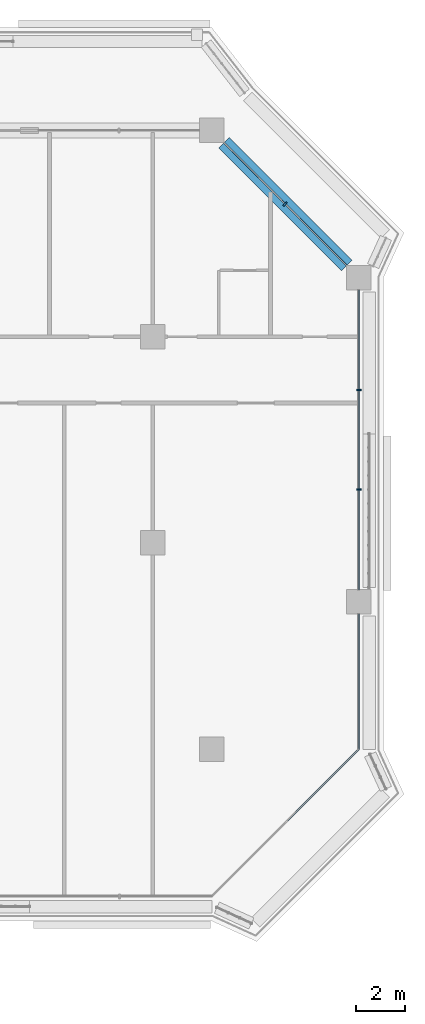
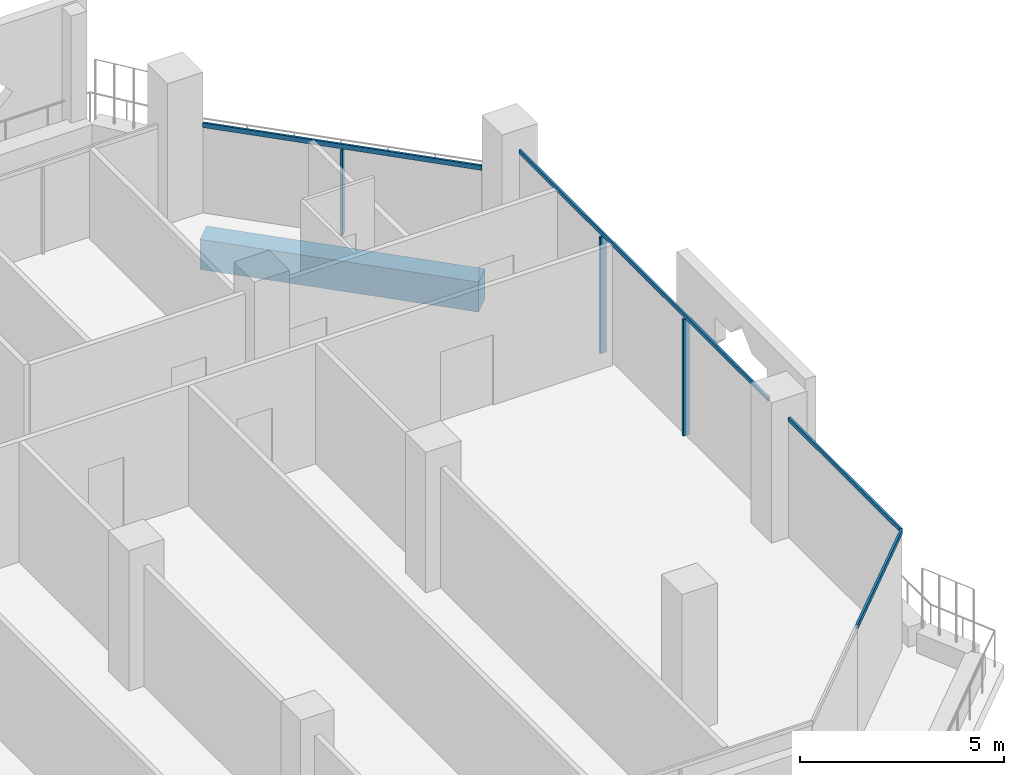
# One storey, part 7 of 22: 7 members, 1 beam, 3 elements without a shape of their own.
"""IFC4 building model written with IfcOpenShell, lengths in metres."""

import ifcopenshell
import ifcopenshell.guid

model = None  # the IFC model being written
_history = None  # IfcOwnerHistory: only IFC2X3 demands one
_inside = {}  # id of a spatial element -> (the spatial element, [elements in it])
_under = {}  # id of a project, library or spatial element -> (it, [spatial elements below it])
_declared = {}  # id of a project -> (the project, [libraries it declares])
_typed = {}  # id of a type object -> (the type object, [elements of that type])
_made_of = {}  # id of a material, layer set ... -> (it, [elements and type objects made of it])


def new_model(schema):
    """Start an empty IFC model of exactly this schema.

    Asked for "IFC4X3", IfcOpenShell would pick the latest addendum, in which some entities
    have other attributes; the version numbers below select the first issue.
    IFC2X3 requires an IfcOwnerHistory on every rooted entity: one is made here for all.
    """
    global model, _history
    if schema == "IFC4X3":
        model = ifcopenshell.file(schema_version=(4, 3, 0, 0))
    else:
        model = ifcopenshell.file(schema=schema)
    _inside.clear()
    _under.clear()
    _declared.clear()
    _typed.clear()
    _made_of.clear()
    _history = None
    if model.schema == "IFC2X3":
        org = make("IfcOrganization", Name="unknown")
        user = make(
            "IfcPersonAndOrganization",
            ThePerson=make("IfcPerson", FamilyName="unknown"),
            TheOrganization=org,
        )
        app = make(
            "IfcApplication",
            ApplicationDeveloper=org,
            Version="unknown",
            ApplicationFullName="unknown",
            ApplicationIdentifier="unknown",
        )
        _history = make(
            "IfcOwnerHistory",
            OwningUser=user,
            OwningApplication=app,
            ChangeAction="ADDED",
            CreationDate=0,
        )
    return model


def make(cls, **values):
    """One entity of the class cls with the attributes given. An attribute that is None is left unset."""
    return model.create_entity(
        cls, **{name: value for name, value in values.items() if value is not None}
    )


def rooted(cls, **values):
    """An entity with a GlobalId (a new one), such as an element, a storey or a relation."""
    return make(cls, GlobalId=ifcopenshell.guid.new(), OwnerHistory=_history, **values)


def si_unit(unit_type, name, prefix=None):
    """IfcSIUnit, for example si_unit("LENGTHUNIT", "METRE", prefix="MILLI")."""
    return make("IfcSIUnit", UnitType=unit_type, Prefix=prefix, Name=name)


def assignment(units):
    """IfcUnitAssignment: the units of a project."""
    return None if units is None else make("IfcUnitAssignment", Units=units)


def point(xyz):
    """IfcCartesianPoint."""
    return None if xyz is None else make("IfcCartesianPoint", Coordinates=xyz)


def direction(xyz):
    """IfcDirection."""
    return None if xyz is None else make("IfcDirection", DirectionRatios=xyz)


def frame(location, z_axis=None, x_axis=None):
    """IfcAxis2Placement3D, a coordinate frame: its origin and axes. An axis left out is left unset."""
    return make(
        "IfcAxis2Placement3D",
        Location=point(location),
        Axis=direction(z_axis),
        RefDirection=direction(x_axis),
    )


def frame_2d(location, x_axis=None):
    """IfcAxis2Placement2D, a coordinate frame in the plane: its origin and x axis."""
    return make(
        "IfcAxis2Placement2D", Location=point(location), RefDirection=direction(x_axis)
    )


def origin():
    """The frame at (0, 0, 0) with its axes left unset."""
    return frame((0.0, 0.0, 0.0))


def origin_2d():
    """The frame at (0, 0) in the plane with its x axis left unset."""
    return frame_2d((0.0, 0.0))


def place(relative_to, where):
    """IfcLocalPlacement: puts the frame where relative to a parent placement (None: the world)."""
    return make(
        "IfcLocalPlacement", PlacementRelTo=relative_to, RelativePlacement=where
    )


def context(
    kind, dimensions, precision=None, world=None, true_north=None, identifier=None
):
    """IfcGeometricRepresentationContext, for example the 3D "Model" context."""
    return make(
        "IfcGeometricRepresentationContext",
        ContextIdentifier=identifier,
        ContextType=kind,
        CoordinateSpaceDimension=dimensions,
        Precision=precision,
        WorldCoordinateSystem=world,
        TrueNorth=true_north,
    )


def subcontext(parent, identifier, kind, view, scale=None):
    """IfcGeometricRepresentationSubContext, for example "Body" below "Model"."""
    return make(
        "IfcGeometricRepresentationSubContext",
        ContextIdentifier=identifier,
        ContextType=kind,
        ParentContext=parent,
        TargetScale=scale,
        TargetView=view,
    )


def project(units=None, contexts=None):
    """IfcProject with its units and contexts."""
    return rooted(
        "IfcProject",
        Name="project",
        RepresentationContexts=contexts,
        UnitsInContext=assignment(units),
    )


def spatial(cls, under=None, at=None, **own):
    """A site, building, storey or space (cls), placed at a placement, below another one or the project."""
    s = rooted(cls, ObjectPlacement=at, **own)
    if under is not None:
        _under.setdefault(under.id(), (under, []))[1].append(s)
    return s


def profile(cls, at=None, kind="AREA", **sizes):
    """A parametric profile (cls). Its sizes go by their IFC names, for example OverallWidth=200.0."""
    return make(cls, ProfileType=kind, Position=at, **sizes)


def rectangle(**sizes):
    """IfcRectangleProfileDef."""
    return profile("IfcRectangleProfileDef", **sizes)


def extrude(swept, where, along, depth):
    """IfcExtrudedAreaSolid: the profile swept, set in the frame where, extruded along a direction by depth."""
    return make(
        "IfcExtrudedAreaSolid",
        SweptArea=swept,
        Position=where,
        ExtrudedDirection=direction(along),
        Depth=depth,
    )


def shape(context_of_items, identifier, shape_type, items):
    """IfcShapeRepresentation: the items that make up one representation, for example the "Body"."""
    return make(
        "IfcShapeRepresentation",
        ContextOfItems=context_of_items,
        RepresentationIdentifier=identifier,
        RepresentationType=shape_type,
        Items=items,
    )


def material(Name=None, Category=None):
    """IfcMaterial."""
    return make("IfcMaterial", Name=Name, Category=Category)


def layer(
    of_material, thickness, ventilated=None, Name=None, Category=None, Priority=None
):
    """IfcMaterialLayer: one layer of a wall or slab, of a material (None: an air gap)."""
    return make(
        "IfcMaterialLayer",
        Material=of_material,
        LayerThickness=thickness,
        IsVentilated=ventilated,
        Name=Name,
        Category=Category,
        Priority=Priority,
    )


def layer_set(layers, Name=None):
    """IfcMaterialLayerSet."""
    return make("IfcMaterialLayerSet", MaterialLayers=layers, LayerSetName=Name)


def material_profile(
    of_material, cross_section, Name=None, Category=None, Priority=None
):
    """IfcMaterialProfile: a cross section and its material."""
    return make(
        "IfcMaterialProfile",
        Name=Name,
        Material=of_material,
        Profile=cross_section,
        Priority=Priority,
        Category=Category,
    )


def profile_set(profiles, Name=None, composite=None):
    """IfcMaterialProfileSet."""
    return make(
        "IfcMaterialProfileSet",
        Name=Name,
        MaterialProfiles=profiles,
        CompositeProfile=composite,
    )


def made_of(thing, what):
    """Note that an element or type object is made of a material, layer set ...; save() writes the relation."""
    if what is not None:
        _made_of.setdefault(what.id(), (what, []))[1].append(thing)
    return thing


def type_object(cls, material=None, **own):
    """A type object (cls), such as IfcWallType, which elements share."""
    return made_of(rooted(cls, **own), material)


def element(
    cls,
    number,
    at=None,
    inside=None,
    cuts=None,
    type_object=None,
    material=None,
    context=None,
    identifier="Body",
    shape_type=None,
    held_by="IfcProductDefinitionShape",
    body=None,
    shapes=None,
    **own,
):
    """One element of the class cls, such as IfcWall. Its Tag is "e" and its number.

    at: its placement. inside: the storey or other place that contains it. cuts: it is an
    opening in that element (IfcRelVoidsElement). A single representation is given by context,
    identifier, shape_type and body (its items); several are given by shapes. held_by: the class
    of the entity that holds the representations. save() writes the other relations.
    """
    e = rooted(cls, Tag="e%d" % number, ObjectPlacement=at, **own)
    if body is not None:
        shapes = [shape(context, identifier, shape_type, body)]
    if shapes is not None:
        e.Representation = make(held_by, Representations=shapes)
    if inside is not None:
        _inside.setdefault(inside.id(), (inside, []))[1].append(e)
    if cuts is not None:
        rooted(
            "IfcRelVoidsElement", RelatingBuildingElement=cuts, RelatedOpeningElement=e
        )
    if type_object is not None:
        _typed.setdefault(type_object.id(), (type_object, []))[1].append(e)
    return made_of(e, material)


def aggregate(whole, parts):
    """IfcRelAggregates: a whole, such as a stair, and the parts it consists of."""
    return rooted("IfcRelAggregates", RelatingObject=whole, RelatedObjects=parts)


def save(model, path):
    """Write the relations noted so far, then the file.

    IfcRelAggregates (storeys below a building ...), IfcRelContainedInSpatialStructure (elements
    in a storey), IfcRelDefinesByType, IfcRelAssociatesMaterial and IfcRelDeclares: one each for
    every whole, place, type object, material and project.
    """
    for whole, parts in _under.values():
        aggregate(whole, parts)
    for where, things in _inside.values():
        rooted(
            "IfcRelContainedInSpatialStructure",
            RelatedElements=things,
            RelatingStructure=where,
        )
    for kind, things in _typed.values():
        rooted("IfcRelDefinesByType", RelatedObjects=things, RelatingType=kind)
    for what, things in _made_of.values():
        rooted("IfcRelAssociatesMaterial", RelatedObjects=things, RelatingMaterial=what)
    for by, libraries in _declared.values():
        rooted("IfcRelDeclares", RelatingContext=by, RelatedDefinitions=libraries)
    model.write(path)


model = new_model("IFC4")

# Units and contexts
model_context = context("Model", 3, precision=1e-05, world=origin(), true_north=direction((0.0, 1.0)))
body_context = subcontext(model_context, "Body", "Model", "MODEL_VIEW")
ifc_project = project(units=[si_unit("LENGTHUNIT", "METRE"), si_unit("AREAUNIT", "SQUARE_METRE"), si_unit("VOLUMEUNIT", "CUBIC_METRE"), si_unit("PLANEANGLEUNIT", "RADIAN"), si_unit("MASSUNIT", "GRAM", prefix="KILO")], contexts=[model_context])

# Site, building, storey
site_placement = place(None, origin())
site = spatial("IfcSite", under=ifc_project, at=site_placement, CompositionType="ELEMENT")
building_placement = place(site_placement, origin())
building = spatial("IfcBuilding", under=site, at=building_placement, Name="Kawkab Arch Medical Tower", CompositionType="ELEMENT")
storey_placement = place(building_placement, frame((0.0, 0.0, 179.39990234375)))
storey = spatial("IfcBuildingStorey", under=building, at=storey_placement, Name="L41", CompositionType="ELEMENT", Elevation=179.39990234375)

# Curtain wall, members
ifc_material_1 = material(Name="Bronze anodised aluminium curtain wall frame", Category="aluminium")
ifc_layer_1 = layer(ifc_material_1, 0.159912109375)
ifc_layer_set_1 = layer_set([ifc_layer_1], Name="Bronze anodised aluminium curtain wall frame")
curtain_wall_type_1 = type_object("IfcCurtainWallType", Name="CW1 ward curtain wall", PredefinedType="NOTDEFINED", material=ifc_layer_set_1)
placement = place(storey_placement, origin())
curtain_wall_1 = element("IfcCurtainWall", 1, at=placement, inside=storey, type_object=curtain_wall_type_1, Name="CW1 Ward curtain wall R09", PredefinedType="NOTDEFINED")
ifc_material_2 = material(Name="Bronze anodised aluminium curtain wall frame", Category="aluminium")
ifc_material_profile_1 = material_profile(ifc_material_2, rectangle(XDim=0.179931640625, YDim=0.06005859375, at=origin_2d()), Name="AL 60x180")
ifc_profile_set_1 = profile_set([ifc_material_profile_1], Name="Bronze anodised aluminium curtain wall frame")
member_type_1 = type_object("IfcMemberType", Name="CW1 mullion 60 x 180", PredefinedType="MULLION", material=ifc_profile_set_1)
member_1_placement = place(storey_placement, frame((67.199951171875, -14.63330078125, 0.0), z_axis=(0.0, 0.0, 1.0), x_axis=(-1.0, 0.0, 0.0)))
member_1 = element("IfcMember", 2, at=member_1_placement, type_object=member_type_1, Name="CW1 mullion 2.1", PredefinedType="MULLION", context=body_context, shape_type="SweptSolid", body=[
    extrude(rectangle(XDim=0.179931640625, YDim=0.06005859375, at=origin_2d()), origin(), (0.0, 0.0, 1.0), 3.47998046875),
])
member_2_placement = place(storey_placement, frame((67.199951171875, -10.566650390625, 0.0), z_axis=(0.0, 0.0, 1.0), x_axis=(-1.0, 0.0, 0.0)))
member_2 = element("IfcMember", 3, at=member_2_placement, type_object=member_type_1, Name="CW1 mullion 2.2", PredefinedType="MULLION", context=body_context, shape_type="SweptSolid", body=[
    extrude(rectangle(XDim=0.179931640625, YDim=0.06005859375, at=origin_2d()), origin(), (0.0, 0.0, 1.0), 3.47998046875),
])
ifc_material_3 = material(Name="Bronze anodised aluminium curtain wall frame", Category="aluminium")
ifc_material_profile_2 = material_profile(ifc_material_3, rectangle(XDim=0.06005859375, YDim=0.1201171875, at=origin_2d()), Name="AL 60x120")
ifc_profile_set_2 = profile_set([ifc_material_profile_2], Name="Bronze anodised aluminium curtain wall frame")
member_type_2 = type_object("IfcMemberType", Name="CW1 transom 120 x 60", PredefinedType="USERDEFINED", material=ifc_profile_set_2)
member_3_placement = place(storey_placement, frame((67.199951171875, -25.199951171875, 3.5400390625), z_axis=(0.0, 1.0, 0.0), x_axis=(-1.0, 0.0, 0.0)))
member_3 = element("IfcMember", 4, at=member_3_placement, type_object=member_type_2, Name="CW1 transom 1", ObjectType="TRANSOM", PredefinedType="USERDEFINED", context=body_context, shape_type="SweptSolid", body=[
    extrude(rectangle(XDim=0.06005859375, YDim=0.1201171875, at=origin_2d()), origin(), (0.0, 0.0, 1.0), 5.5),
])
member_4_placement = place(storey_placement, frame((67.199951171875, -18.699951171875, 3.5400390625), z_axis=(0.0, 1.0, 0.0), x_axis=(-1.0, 0.0, 0.0)))
member_4 = element("IfcMember", 5, at=member_4_placement, type_object=member_type_2, Name="CW1 transom 2", ObjectType="TRANSOM", PredefinedType="USERDEFINED", context=body_context, shape_type="SweptSolid", body=[
    extrude(rectangle(XDim=0.06005859375, YDim=0.1201171875, at=origin_2d()), origin(), (0.0, 0.0, 1.0), 12.199951171875),
])
aggregate(curtain_wall_1, [member_3, member_4, member_1, member_2])

# Curtain wall, member
ifc_material_4 = material(Name="Bronze anodised aluminium curtain wall frame", Category="aluminium")
ifc_layer_2 = layer(ifc_material_4, 0.159912109375)
ifc_layer_set_2 = layer_set([ifc_layer_2], Name="Bronze anodised aluminium curtain wall frame")
curtain_wall_type_2 = type_object("IfcCurtainWallType", Name="CW2 chamfer curtain wall", PredefinedType="NOTDEFINED", material=ifc_layer_set_2)
curtain_wall_2 = element("IfcCurtainWall", 6, at=placement, inside=storey, type_object=curtain_wall_type_2, Name="CW2 Chamfer curtain wall R10", PredefinedType="NOTDEFINED")
ifc_material_5 = material(Name="Bronze anodised aluminium curtain wall frame", Category="aluminium")
ifc_material_profile_3 = material_profile(ifc_material_5, rectangle(XDim=0.199951171875, YDim=0.06005859375, at=origin_2d()), Name="AL 60x200")
ifc_profile_set_3 = profile_set([ifc_material_profile_3], Name="Bronze anodised aluminium curtain wall frame")
member_type_3 = type_object("IfcMemberType", Name="CW2 mullion 60 x 200", PredefinedType="MULLION", material=ifc_profile_set_3)
member_5_placement = place(storey_placement, frame((64.199951171875, -3.0, 0.0), z_axis=(0.0, 0.0, 1.0), x_axis=(-0.707106781187, -0.707106781187, 0.0)))
member_5 = element("IfcMember", 7, at=member_5_placement, type_object=member_type_3, Name="CW2 mullion 1.1", PredefinedType="MULLION", context=body_context, shape_type="SweptSolid", body=[
    extrude(rectangle(XDim=0.199951171875, YDim=0.06005859375, at=origin_2d()), origin(), (0.0, 0.0, 1.0), 2.56005859375),
])

curtain_wall_3 = element("IfcCurtainWall", 8, at=placement, inside=storey, type_object=curtain_wall_type_2, Name="CW2 Chamfer curtain wall R08", PredefinedType="NOTDEFINED")
ifc_material_6 = material(Name="Bronze anodised aluminium curtain wall frame", Category="aluminium")
ifc_material_profile_4 = material_profile(ifc_material_6, rectangle(XDim=0.06005859375, YDim=0.139892578125, at=origin_2d()), Name="AL 60x140")
ifc_profile_set_4 = profile_set([ifc_material_profile_4], Name="Bronze anodised aluminium curtain wall frame")
member_type_4 = type_object("IfcMemberType", Name="CW2 transom 140 x 60", PredefinedType="USERDEFINED", material=ifc_profile_set_4)
member_6_placement = place(storey_placement, frame((64.199951171875, -28.199951171875, 3.530029296875), z_axis=(0.707106781187, 0.707106781187, 0.0), x_axis=(-0.707106781187, 0.707106781187, 0.0)))
member_6 = element("IfcMember", 9, at=member_6_placement, type_object=member_type_4, Name="CW2 transom 2", ObjectType="TRANSOM", PredefinedType="USERDEFINED", context=body_context, shape_type="SweptSolid", body=[
    extrude(rectangle(XDim=0.06005859375, YDim=0.139892578125, at=origin_2d()), origin(), (0.0, 0.0, 1.0), 4.24267578125),
])
aggregate(curtain_wall_3, [member_6])

# Member
member_7_placement = place(storey_placement, frame((66.699951171875, -5.5, 2.630126953125), z_axis=(-0.707106781187, 0.707106781187, 0.0), x_axis=(-0.707106781187, -0.707106781187, 0.0)))
member_7 = element("IfcMember", 10, at=member_7_placement, type_object=member_type_4, Name="CW2 transom 1", ObjectType="TRANSOM", PredefinedType="USERDEFINED", context=body_context, shape_type="SweptSolid", body=[
    extrude(rectangle(XDim=0.06005859375, YDim=0.139892578125, at=origin_2d()), origin(), (0.0, 0.0, 1.0), 7.071044921875),
])

aggregate(curtain_wall_2, [member_7, member_5])

# Beam
ifc_material_7 = material(Name="Concrete C50/60", Category="concrete")
ifc_material_profile_5 = material_profile(ifc_material_7, rectangle(XDim=0.60009765625, YDim=0.89990234375, at=origin_2d()), Name="RC 600x900")
ifc_profile_set_5 = profile_set([ifc_material_profile_5], Name="Concrete C50/60")
beam_type = type_object("IfcBeamType", Name="RC 600x900 beam C50/60", PredefinedType="BEAM", material=ifc_profile_set_5)
beam_placement = place(storey_placement, frame((61.699951171875, -0.5, -1.0498046875), z_axis=(0.707106781187, -0.707106781187, 0.0), x_axis=(0.707106781187, 0.707106781187, 0.0)))
element("IfcBeam", 11, at=beam_placement, inside=storey, type_object=beam_type, Name="Overhang edge beam L41-08", PredefinedType="BEAM", context=body_context, shape_type="SweptSolid", body=[
    extrude(rectangle(XDim=0.60009765625, YDim=0.89990234375, at=origin_2d()), origin(), (0.0, 0.0, 1.0), 7.071044921875),
])

save(model, "model.ifc")
